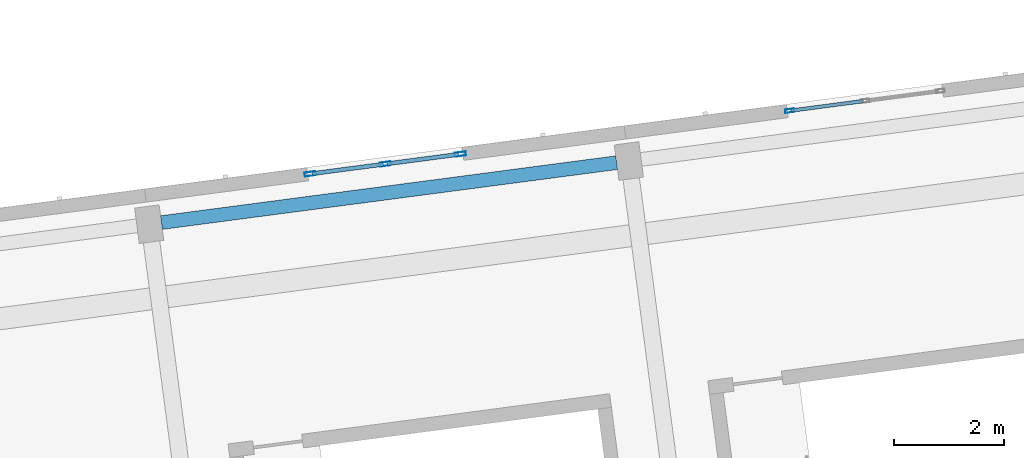
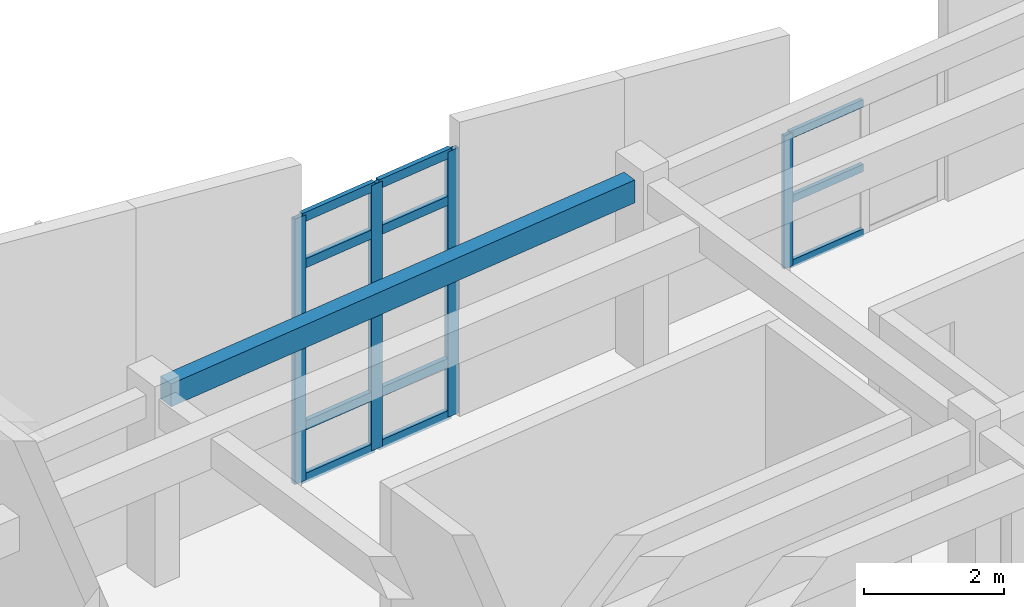
# One storey, part 2 of 10: 15 members, 1 beam, 2 elements without a shape of their own.
"""IFC4 building model written with IfcOpenShell, lengths in metres."""

from ifc_helpers import new_model, si_unit, direction, frame, origin, origin_2d, place, context, subcontext, project, spatial, rectangle, hollow_rectangle, extrude, material, material_profile, profile_set, type_object, element, aggregate, save


model = new_model("IFC4")

# Units and contexts
model_context = context("Model", 3, precision=1e-05, world=origin(), true_north=direction((0.0, 1.0)))
body_context = subcontext(model_context, "Body", "Model", "MODEL_VIEW")
ifc_project = project(units=[si_unit("LENGTHUNIT", "METRE"), si_unit("AREAUNIT", "SQUARE_METRE"), si_unit("VOLUMEUNIT", "CUBIC_METRE"), si_unit("PLANEANGLEUNIT", "RADIAN"), si_unit("MASSUNIT", "GRAM", prefix="KILO")], contexts=[model_context])

# Site, building, storey
site_placement = place(None, origin())
site = spatial("IfcSite", under=ifc_project, at=site_placement, CompositionType="ELEMENT")
building_placement = place(site_placement, origin())
building = spatial("IfcBuilding", under=site, at=building_placement, Name="Kestramere Prow Commons", CompositionType="ELEMENT")
storey_placement = place(building_placement, frame((0.0, 0.0, 44.14990234375)))
storey = spatial("IfcBuildingStorey", under=building, at=storey_placement, Name="L13", CompositionType="ELEMENT", Elevation=44.14990234375)

# Curtain wall, member
ifc_material_1 = material(Name="Anodised Aluminium and Low-E Glass", Category="aluminium")
curtain_wall_type_1 = type_object("IfcCurtainWallType", Name="CW-03 Glazed Curtain Wall 2830x2320", PredefinedType="USERDEFINED", material=ifc_material_1)
curtain_wall_1_placement = place(storey_placement, origin())
curtain_wall_1 = element("IfcCurtainWall", 1, at=curtain_wall_1_placement, inside=storey, type_object=curtain_wall_type_1, Name="Block A L13 Stairwell Vertical Glazing 3", ObjectType="GLAZED CURTAIN WALL", PredefinedType="USERDEFINED")
ifc_material_2 = material(Name="Anodised Aluminium 6063-T6", Category="aluminium")
ifc_material_profile_1 = material_profile(ifc_material_2, hollow_rectangle(XDim=0.06494140625, YDim=0.159912109375, WallThickness=0.00390625, at=origin_2d()), Name="ALU-MUL 65x160")
ifc_profile_set_1 = profile_set([ifc_material_profile_1], Name="Anodised Aluminium 6063-T6")
member_type_1 = type_object("IfcMemberType", Name="CW-MUL-65x160", PredefinedType="MULLION", material=ifc_profile_set_1)
member_1_placement = place(storey_placement, frame((28.962158203125, 95.04052734375, 0.0), z_axis=(0.0, 0.0, 1.0), x_axis=(-0.130526494555, 0.991444821571, 0.0)))
member_1 = element("IfcMember", 2, at=member_1_placement, type_object=member_type_1, Name="CW-03 mullion 1", PredefinedType="MULLION", context=body_context, shape_type="SweptSolid", body=[
    extrude(hollow_rectangle(XDim=0.06494140625, YDim=0.159912109375, WallThickness=0.00390625, at=origin_2d()), origin(), (0.0, 0.0, 1.0), 2.320068359375),
])

# Curtain wall, members
curtain_wall_type_2 = type_object("IfcCurtainWallType", Name="CW-04 Glazed Curtain Wall 2830x4630", PredefinedType="USERDEFINED", material=ifc_material_1)
curtain_wall_2_placement = place(storey_placement, origin())
curtain_wall_2 = element("IfcCurtainWall", 3, at=curtain_wall_2_placement, inside=storey, type_object=curtain_wall_type_2, Name="Block A L13 Stairwell Vertical Glazing 2", ObjectType="GLAZED CURTAIN WALL", PredefinedType="USERDEFINED")
ifc_material_profile_2 = material_profile(ifc_material_2, hollow_rectangle(XDim=0.074951171875, YDim=0.199951171875, WallThickness=0.0048828125, at=origin_2d()), Name="ALU-MUL 75x200")
ifc_profile_set_2 = profile_set([ifc_material_profile_2], Name="Anodised Aluminium 6063-T6")
member_type_2 = type_object("IfcMemberType", Name="CW-MUL-75x200", PredefinedType="MULLION", material=ifc_profile_set_2)
member_2_placement = place(storey_placement, frame((20.2421875, 93.892578125, 0.0), z_axis=(0.0, 0.0, 1.0), x_axis=(-0.13052614723, 0.991444867297, 0.0)))
member_2 = element("IfcMember", 4, at=member_2_placement, type_object=member_type_2, Name="CW-04 mullion 1", PredefinedType="MULLION", context=body_context, shape_type="SweptSolid", body=[
    extrude(hollow_rectangle(XDim=0.074951171875, YDim=0.199951171875, WallThickness=0.0048828125, at=origin_2d()), origin(), (0.0, 0.0, 1.0), 4.62939453125),
])
member_3_placement = place(storey_placement, frame((21.60791015625, 94.072265625, 0.0), z_axis=(0.0, 0.0, 1.0), x_axis=(-0.13052614723, 0.991444867297, 0.0)))
member_3 = element("IfcMember", 5, at=member_3_placement, type_object=member_type_2, Name="CW-04 mullion 2", PredefinedType="MULLION", context=body_context, shape_type="SweptSolid", body=[
    extrude(hollow_rectangle(XDim=0.074951171875, YDim=0.199951171875, WallThickness=0.0048828125, at=origin_2d()), origin(), (0.0, 0.0, 1.0), 4.62939453125),
])
member_4_placement = place(storey_placement, frame((22.9736328125, 94.252197265625, 0.0), z_axis=(0.0, 0.0, 1.0), x_axis=(-0.13052614723, 0.991444867297, 0.0)))
member_4 = element("IfcMember", 6, at=member_4_placement, type_object=member_type_2, Name="CW-04 mullion 3", PredefinedType="MULLION", context=body_context, shape_type="SweptSolid", body=[
    extrude(hollow_rectangle(XDim=0.074951171875, YDim=0.199951171875, WallThickness=0.0048828125, at=origin_2d()), origin(), (0.0, 0.0, 1.0), 4.62939453125),
])

# Member
ifc_material_profile_3 = material_profile(ifc_material_2, hollow_rectangle(XDim=0.06494140625, YDim=0.1298828125, WallThickness=0.00390625, at=origin_2d()), Name="ALU-TRN 65x130")
ifc_profile_set_3 = profile_set([ifc_material_profile_3], Name="Anodised Aluminium 6063-T6")
member_type_3 = type_object("IfcMemberType", Name="CW-TRN-65x130", PredefinedType="USERDEFINED", material=ifc_profile_set_3)
member_5_placement = place(storey_placement, frame((28.994384765625, 95.044677734375, 0.03271484375), z_axis=(0.99142904707, 0.130646257605, 0.0), x_axis=(-0.130646257605, 0.99142904707, 0.0)))
member_5 = element("IfcMember", 7, at=member_5_placement, type_object=member_type_3, Name="CW-03 transom 1.1", ObjectType="TRANSOM", PredefinedType="USERDEFINED", context=body_context, shape_type="SweptSolid", body=[
    extrude(hollow_rectangle(XDim=0.06494140625, YDim=0.1298828125, WallThickness=0.00390625, at=origin_2d()), origin(), (0.0, 0.0, 1.0), 1.3173828125),
])

member_6_placement = place(storey_placement, frame((28.994384765625, 95.044677734375, 1.16015625), z_axis=(0.99142904707, 0.130646257605, 0.0), x_axis=(-0.130646257605, 0.99142904707, 0.0)))
member_6 = element("IfcMember", 8, at=member_6_placement, type_object=member_type_3, Name="CW-03 transom 1.2", ObjectType="TRANSOM", PredefinedType="USERDEFINED", context=body_context, shape_type="SweptSolid", body=[
    extrude(hollow_rectangle(XDim=0.06494140625, YDim=0.1298828125, WallThickness=0.00390625, at=origin_2d()), origin(), (0.0, 0.0, 1.0), 1.3173828125),
])

member_7_placement = place(storey_placement, frame((28.994384765625, 95.044677734375, 2.28759765625), z_axis=(0.99142904707, 0.130646257605, 0.0), x_axis=(-0.130646257605, 0.99142904707, 0.0)))
member_7 = element("IfcMember", 9, at=member_7_placement, type_object=member_type_3, Name="CW-03 transom 1.3", ObjectType="TRANSOM", PredefinedType="USERDEFINED", context=body_context, shape_type="SweptSolid", body=[
    extrude(hollow_rectangle(XDim=0.06494140625, YDim=0.1298828125, WallThickness=0.00390625, at=origin_2d()), origin(), (0.0, 0.0, 1.0), 1.3173828125),
])

aggregate(curtain_wall_1, [member_1, member_5, member_6, member_7])

ifc_material_profile_4 = material_profile(ifc_material_2, hollow_rectangle(XDim=0.074951171875, YDim=0.159912109375, WallThickness=0.0048828125, at=origin_2d()), Name="ALU-TRN 75x160")
ifc_profile_set_4 = profile_set([ifc_material_profile_4], Name="Anodised Aluminium 6063-T6")
member_type_4 = type_object("IfcMemberType", Name="CW-TRN-75x160", PredefinedType="USERDEFINED", material=ifc_profile_set_4)
member_8_placement = place(storey_placement, frame((20.279541015625, 93.8974609375, 0.03759765625), z_axis=(0.991452381322, 0.130469059822, 0.0), x_axis=(-0.130469059822, 0.991452381322, 0.0)))
member_8 = element("IfcMember", 10, at=member_8_placement, type_object=member_type_4, Name="CW-04 transom 1.1", ObjectType="TRANSOM", PredefinedType="USERDEFINED", context=body_context, shape_type="SweptSolid", body=[
    extrude(hollow_rectangle(XDim=0.074951171875, YDim=0.159912109375, WallThickness=0.0048828125, at=origin_2d()), origin(), (0.0, 0.0, 1.0), 1.302490234375),
])

member_9_placement = place(storey_placement, frame((20.279541015625, 93.8974609375, 0.9501953125), z_axis=(0.991452381322, 0.130469059822, 0.0), x_axis=(-0.130469059822, 0.991452381322, 0.0)))
member_9 = element("IfcMember", 11, at=member_9_placement, type_object=member_type_4, Name="CW-04 transom 1.2", ObjectType="TRANSOM", PredefinedType="USERDEFINED", context=body_context, shape_type="SweptSolid", body=[
    extrude(hollow_rectangle(XDim=0.074951171875, YDim=0.159912109375, WallThickness=0.0048828125, at=origin_2d()), origin(), (0.0, 0.0, 1.0), 1.302490234375),
])

member_10_placement = place(storey_placement, frame((20.279541015625, 93.8974609375, 3.779052734375), z_axis=(0.991452381322, 0.130469059822, 0.0), x_axis=(-0.130469059822, 0.991452381322, 0.0)))
member_10 = element("IfcMember", 12, at=member_10_placement, type_object=member_type_4, Name="CW-04 transom 1.3", ObjectType="TRANSOM", PredefinedType="USERDEFINED", context=body_context, shape_type="SweptSolid", body=[
    extrude(hollow_rectangle(XDim=0.074951171875, YDim=0.159912109375, WallThickness=0.0048828125, at=origin_2d()), origin(), (0.0, 0.0, 1.0), 1.302490234375),
])

member_11_placement = place(storey_placement, frame((20.279541015625, 93.8974609375, 4.591796875), z_axis=(0.991452381322, 0.130469059822, 0.0), x_axis=(-0.130469059822, 0.991452381322, 0.0)))
member_11 = element("IfcMember", 13, at=member_11_placement, type_object=member_type_4, Name="CW-04 transom 1.4", ObjectType="TRANSOM", PredefinedType="USERDEFINED", context=body_context, shape_type="SweptSolid", body=[
    extrude(hollow_rectangle(XDim=0.074951171875, YDim=0.159912109375, WallThickness=0.0048828125, at=origin_2d()), origin(), (0.0, 0.0, 1.0), 1.302490234375),
])

member_12_placement = place(storey_placement, frame((21.645263671875, 94.0771484375, 0.03759765625), z_axis=(0.991428116695, 0.130653317704, 0.0), x_axis=(-0.130653317704, 0.991428116695, 0.0)))
member_12 = element("IfcMember", 14, at=member_12_placement, type_object=member_type_4, Name="CW-04 transom 2.1", ObjectType="TRANSOM", PredefinedType="USERDEFINED", context=body_context, shape_type="SweptSolid", body=[
    extrude(hollow_rectangle(XDim=0.074951171875, YDim=0.159912109375, WallThickness=0.0048828125, at=origin_2d()), origin(), (0.0, 0.0, 1.0), 1.302490234375),
])

member_13_placement = place(storey_placement, frame((21.645263671875, 94.0771484375, 0.9501953125), z_axis=(0.991428116695, 0.130653317704, 0.0), x_axis=(-0.130653317704, 0.991428116695, 0.0)))
member_13 = element("IfcMember", 15, at=member_13_placement, type_object=member_type_4, Name="CW-04 transom 2.2", ObjectType="TRANSOM", PredefinedType="USERDEFINED", context=body_context, shape_type="SweptSolid", body=[
    extrude(hollow_rectangle(XDim=0.074951171875, YDim=0.159912109375, WallThickness=0.0048828125, at=origin_2d()), origin(), (0.0, 0.0, 1.0), 1.302490234375),
])

member_14_placement = place(storey_placement, frame((21.645263671875, 94.0771484375, 3.779052734375), z_axis=(0.991428116695, 0.130653317704, 0.0), x_axis=(-0.130653317704, 0.991428116695, 0.0)))
member_14 = element("IfcMember", 16, at=member_14_placement, type_object=member_type_4, Name="CW-04 transom 2.3", ObjectType="TRANSOM", PredefinedType="USERDEFINED", context=body_context, shape_type="SweptSolid", body=[
    extrude(hollow_rectangle(XDim=0.074951171875, YDim=0.159912109375, WallThickness=0.0048828125, at=origin_2d()), origin(), (0.0, 0.0, 1.0), 1.302490234375),
])

member_15_placement = place(storey_placement, frame((21.645263671875, 94.0771484375, 4.591796875), z_axis=(0.991428116695, 0.130653317704, 0.0), x_axis=(-0.130653317704, 0.991428116695, 0.0)))
member_15 = element("IfcMember", 17, at=member_15_placement, type_object=member_type_4, Name="CW-04 transom 2.4", ObjectType="TRANSOM", PredefinedType="USERDEFINED", context=body_context, shape_type="SweptSolid", body=[
    extrude(hollow_rectangle(XDim=0.074951171875, YDim=0.159912109375, WallThickness=0.0048828125, at=origin_2d()), origin(), (0.0, 0.0, 1.0), 1.302490234375),
])

aggregate(curtain_wall_2, [member_2, member_3, member_4, member_8, member_9, member_10, member_11, member_12, member_13, member_14, member_15])

# Beam
ifc_material_3 = material(Name="Precast concrete C40/50", Category="concrete")
ifc_material_profile_5 = material_profile(ifc_material_3, rectangle(XDim=0.25, YDim=0.39990234375, at=origin_2d()), Name="PC-SP 250x400")
ifc_profile_set_5 = profile_set([ifc_material_profile_5], Name="Precast concrete C40/50")
beam_type = type_object("IfcBeamType", Name="SP-EXT-01 PC-SP 250x400", PredefinedType="SPANDREL", material=ifc_profile_set_5)
beam_placement = place(storey_placement, frame((17.537353515625, 93.0068359375, 3.050048828125), z_axis=(0.991445635283, 0.13052031366, 0.0), x_axis=(-0.13052031366, 0.991445635283, 0.0)))
element("IfcBeam", 18, at=beam_placement, inside=storey, type_object=beam_type, Name="Block A L13 Longitudinal Beam 4-2", PredefinedType="SPANDREL", context=body_context, shape_type="SweptSolid", body=[
    extrude(rectangle(XDim=0.25, YDim=0.39990234375, at=origin_2d()), origin(), (0.0, 0.0, 1.0), 8.35009765625),
])

save(model, "model.ifc")
